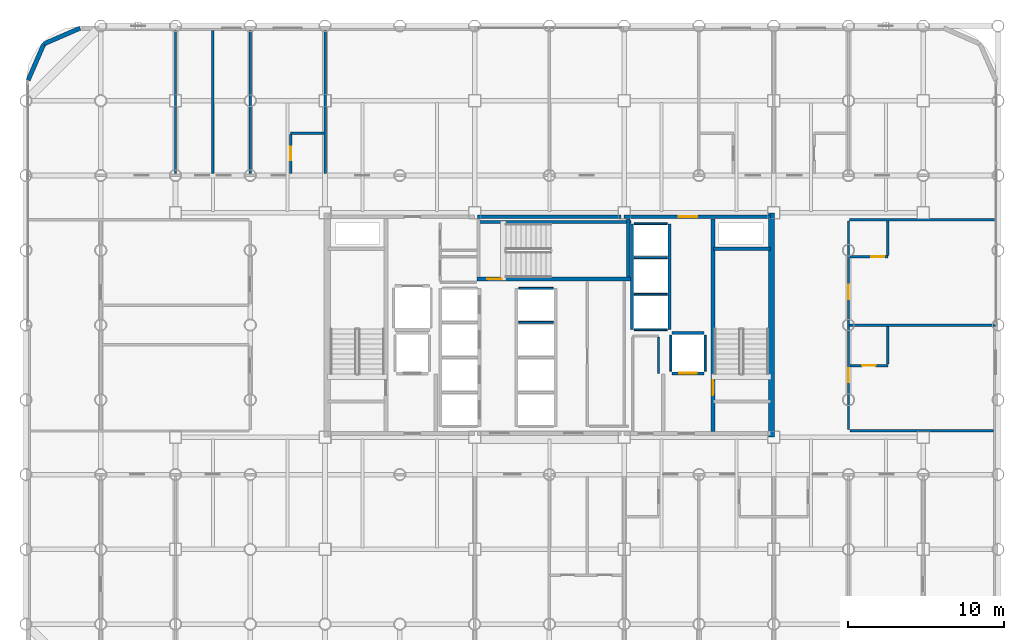
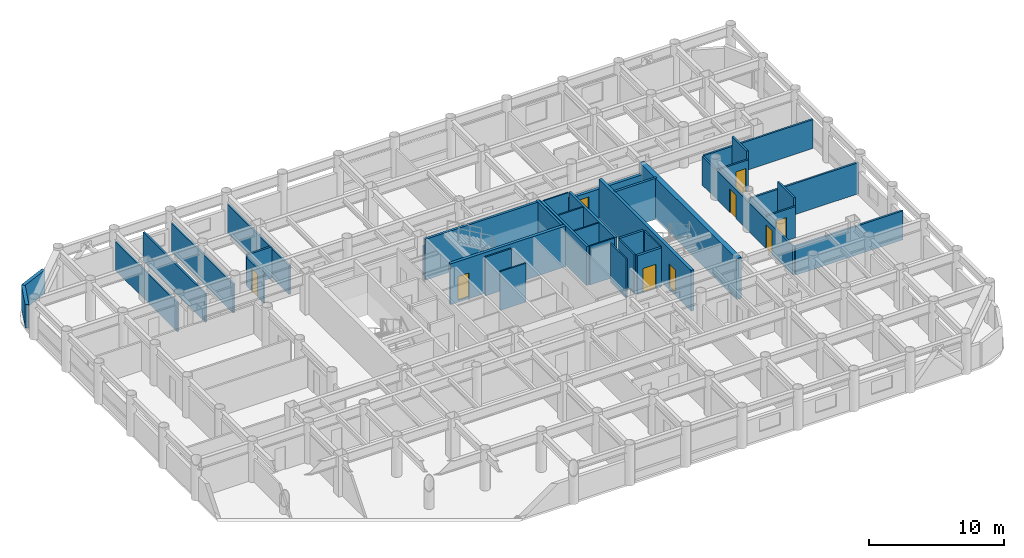
# One storey, part 18 of 21: 37 walls, 9 doors, 9 openings.
"""IFC4 building model written with IfcOpenShell, lengths in metres."""

from ifc_helpers import new_model, si_unit, direction, frame, frame_2d, origin, place, context, subcontext, project, spatial, rectangle, extrude, material, layer, layer_set, type_object, element, fill, save


model = new_model("IFC4")

# Units and contexts
model_context = context("Model", 3, precision=1e-05, world=origin(), true_north=direction((0.0, 1.0)))
body_context = subcontext(model_context, "Body", "Model", "MODEL_VIEW")
ifc_project = project(units=[si_unit("LENGTHUNIT", "METRE"), si_unit("AREAUNIT", "SQUARE_METRE"), si_unit("VOLUMEUNIT", "CUBIC_METRE"), si_unit("PLANEANGLEUNIT", "RADIAN"), si_unit("MASSUNIT", "GRAM", prefix="KILO")], contexts=[model_context])

# Site, building, storey
site_placement = place(None, origin())
site = spatial("IfcSite", under=ifc_project, at=site_placement, CompositionType="ELEMENT")
building_placement = place(site_placement, origin())
building = spatial("IfcBuilding", under=site, at=building_placement, Name="Kallvorn Hotel Tower", CompositionType="ELEMENT")
storey_placement = place(building_placement, frame((0.0, 0.0, 44.800048828125)))
storey = spatial("IfcBuildingStorey", under=building, at=storey_placement, Name="L09", CompositionType="ELEMENT", Elevation=44.800048828125)

# Walls
ifc_material_1 = material(Name="Concrete C50/60", Category="concrete")
ifc_layer_1 = layer(ifc_material_1, 0.39990234375)
ifc_layer_set_1 = layer_set([ifc_layer_1], Name="WL_CORE_400")
wall_type_1 = type_object("IfcWallType", Name="WL_CORE_400", PredefinedType="SHEAR", material=ifc_layer_set_1)
wall_1_placement = place(storey_placement, frame((14.264892578125, -7.199951171875, -0.179931640625), z_axis=(0.0, 0.0, 1.0), x_axis=(0.0, 1.0, 0.0)))
element("IfcWall", 1, at=wall_1_placement, inside=storey, type_object=wall_type_1, Name="L09 Core East Shear Wall", PredefinedType="SHEAR", context=body_context, shape_type="SweptSolid", body=[
    extrude(rectangle(XDim=14.39990234375, YDim=0.39990234375, at=frame_2d((7.199951171875, 0.0))), origin(), (0.0, 0.0, 1.0), 3.699951171875),
])
ifc_material_2 = material(Name="Fire-rated double-layer acoustic gypsum drywall EI 60")
ifc_layer_2 = layer(ifc_material_2, 0.159912109375)
ifc_layer_set_2 = layer_set([ifc_layer_2], Name="WL_DEMISE_160")
wall_type_2 = type_object("IfcWallType", Name="WL_DEMISE_160", PredefinedType="PARTITIONING", material=ifc_layer_set_2)
wall_2_placement = place(storey_placement, frame((19.280029296875, -6.800048828125, 0.0), z_axis=(0.0, 0.0, 1.0), x_axis=(1.0, 0.0, 0.0)))
element("IfcWall", 2, at=wall_2_placement, inside=storey, type_object=wall_type_2, Name="L09 Suite 901 E Loggia King Room Partition", PredefinedType="PARTITIONING", context=body_context, shape_type="SweptSolid", body=[
    extrude(rectangle(XDim=9.22998046875, YDim=0.159912109375, at=frame_2d((4.614990234375, 0.0))), origin(), (0.0, 0.0, 1.0), 2.619873046875),
])

# Wall, opening, door
wall_3_placement = place(storey_placement, frame((19.280029296875, -2.60009765625, 0.0), z_axis=(0.0, 0.0, 1.0), x_axis=(1.0, 0.0, 0.0)))
wall_3 = element("IfcWall", 3, at=wall_3_placement, inside=storey, type_object=wall_type_2, Name="L09 Suite 901 E Loggia King Room Partition", PredefinedType="PARTITIONING", context=body_context, shape_type="SweptSolid", body=[
    extrude(rectangle(XDim=2.449951171875, YDim=0.159912109375, at=frame_2d((1.22509765625, 0.0))), origin(), (0.0, 0.0, 1.0), 2.820068359375),
])
opening_1_placement = place(wall_3_placement, frame((0.794921875, 0.0, 0.0)))
opening_1 = element("IfcOpeningElement", 4, at=opening_1_placement, cuts=wall_3, Name="Opening BD-I", PredefinedType="OPENING", context=body_context, shape_type="SweptSolid", body=[
    extrude(rectangle(XDim=0.860107421875, YDim=2.10009765625, at=frame_2d((0.43017578125, 1.050048828125))), frame((0.0, 0.094970703125, 0.0), z_axis=(0.0, -1.0, 0.0), x_axis=(1.0, 0.0, 0.0)), (0.0, 0.0, 1.0), 0.18994140625),
])
ifc_material_3 = material(Name="Solid-core walnut veneer fire-rated timber door leaf", Category="wood")
door_type_1 = type_object("IfcDoorType", Name="DR_BATH_860x2100", OperationType="NOTDEFINED", PredefinedType="DOOR", material=ifc_material_3)
door_1_placement = place(opening_1_placement, origin())
door_1 = element("IfcDoor", 5, at=door_1_placement, inside=storey, type_object=door_type_1, Name="L09 Suite 901 En-Suite Bathroom Door", OperationType="SINGLE_SWING_RIGHT", OverallHeight=2.10009765625, OverallWidth=0.860107421875, PredefinedType="DOOR", context=body_context, shape_type="SweptSolid", body=[
    extrude(rectangle(XDim=0.860107421875, YDim=2.10009765625, at=frame_2d((0.43017578125, 1.050048828125))), frame((0.0, 0.02490234375, 0.0), z_axis=(0.0, -1.0, 0.0), x_axis=(1.0, 0.0, 0.0)), (0.0, 0.0, 1.0), 0.050048828125),
])
fill(opening_1, door_1)

# Wall
wall_4_placement = place(storey_placement, frame((19.280029296875, 0.0, 0.0), z_axis=(0.0, 0.0, 1.0), x_axis=(1.0, 0.0, 0.0)))
element("IfcWall", 6, at=wall_4_placement, inside=storey, type_object=wall_type_2, Name="L09 Suite 902 E Andean Twin Room Partition", PredefinedType="PARTITIONING", context=body_context, shape_type="SweptSolid", body=[
    extrude(rectangle(XDim=9.349853515625, YDim=0.159912109375, at=frame_2d((4.6748046875, 0.0))), origin(), (0.0, 0.0, 1.0), 2.820068359375),
])

# Wall, opening, door
wall_5_placement = place(storey_placement, frame((19.280029296875, 4.38330078125, 0.0), z_axis=(0.0, 0.0, 1.0), x_axis=(1.0, 0.0, 0.0)))
wall_5 = element("IfcWall", 7, at=wall_5_placement, inside=storey, type_object=wall_type_2, Name="L09 Suite 902 E Andean Twin Room Partition", PredefinedType="PARTITIONING", context=body_context, shape_type="SweptSolid", body=[
    extrude(rectangle(XDim=2.449951171875, YDim=0.159912109375, at=frame_2d((1.22509765625, 0.0))), origin(), (0.0, 0.0, 1.0), 2.820068359375),
])
opening_2_placement = place(wall_5_placement, frame((1.3701171875, 0.0, 0.0)))
opening_2 = element("IfcOpeningElement", 8, at=opening_2_placement, cuts=wall_5, Name="Opening BD-I", PredefinedType="OPENING", context=body_context, shape_type="SweptSolid", body=[
    extrude(rectangle(XDim=0.860107421875, YDim=2.10009765625, at=frame_2d((0.43017578125, 1.050048828125))), frame((0.0, 0.094970703125, 0.0), z_axis=(0.0, -1.0, 0.0), x_axis=(1.0, 0.0, 0.0)), (0.0, 0.0, 1.0), 0.18994140625),
])
door_2_placement = place(opening_2_placement, origin())
door_2 = element("IfcDoor", 9, at=door_2_placement, inside=storey, type_object=door_type_1, Name="L09 Suite 902 En-Suite Bathroom Door", OperationType="SINGLE_SWING_RIGHT", OverallHeight=2.10009765625, OverallWidth=0.860107421875, PredefinedType="DOOR", context=body_context, shape_type="SweptSolid", body=[
    extrude(rectangle(XDim=0.860107421875, YDim=2.10009765625, at=frame_2d((0.43017578125, 1.050048828125))), frame((0.0, 0.02490234375, 0.0), z_axis=(0.0, -1.0, 0.0), x_axis=(1.0, 0.0, 0.0)), (0.0, 0.0, 1.0), 0.050048828125),
])
fill(opening_2, door_2)

# Walls
wall_6_placement = place(storey_placement, frame((19.280029296875, 6.75, 0.0), z_axis=(0.0, 0.0, 1.0), x_axis=(1.0, 0.0, 0.0)))
element("IfcWall", 10, at=wall_6_placement, inside=storey, type_object=wall_type_2, Name="L09 Suite 902 E Andean Twin Room Partition", PredefinedType="PARTITIONING", context=body_context, shape_type="SweptSolid", body=[
    extrude(rectangle(XDim=9.349853515625, YDim=0.159912109375, at=frame_2d((4.6748046875, 0.0))), origin(), (0.0, 0.0, 1.0), 2.619873046875),
])
wall_7_placement = place(storey_placement, frame((-16.610107421875, 12.320068359375, 0.0), z_axis=(0.0, 0.0, 1.0), x_axis=(1.0, 0.0, 0.0)))
element("IfcWall", 11, at=wall_7_placement, inside=storey, type_object=wall_type_2, Name="L09 Suite 907 Standard Twin Room Partition", PredefinedType="PARTITIONING", context=body_context, shape_type="SweptSolid", body=[
    extrude(rectangle(XDim=2.130126953125, YDim=0.159912109375, at=frame_2d((1.06494140625, 0.0))), origin(), (0.0, 0.0, 1.0), 2.820068359375),
])
wall_8_placement = place(storey_placement, frame((-19.199951171875, 9.719970703125, 0.0), z_axis=(0.0, 0.0, 1.0), x_axis=(0.0, 1.0, 0.0)))
element("IfcWall", 12, at=wall_8_placement, inside=storey, type_object=wall_type_2, Name="L09 Suite 907 Standard Twin Room Partition", PredefinedType="PARTITIONING", context=body_context, shape_type="SweptSolid", body=[
    extrude(rectangle(XDim=9.18994140625, YDim=0.159912109375, at=frame_2d((4.594970703125, 0.0))), origin(), (0.0, 0.0, 1.0), 2.619873046875),
])

# Wall, opening, door
wall_9_placement = place(storey_placement, frame((-16.610107421875, 9.719970703125, 0.0), z_axis=(0.0, 0.0, 1.0), x_axis=(0.0, 1.0, 0.0)))
wall_9 = element("IfcWall", 13, at=wall_9_placement, inside=storey, type_object=wall_type_2, Name="L09 Suite 907 Standard Twin Room Partition", PredefinedType="PARTITIONING", context=body_context, shape_type="SweptSolid", body=[
    extrude(rectangle(XDim=2.51513671875, YDim=0.159912109375, at=frame_2d((1.257568359375, 0.0))), origin(), (0.0, 0.0, 1.0), 2.619873046875),
])
opening_3_placement = place(wall_9_placement, frame((0.8701171875, 0.0, 0.0)))
opening_3 = element("IfcOpeningElement", 14, at=opening_3_placement, cuts=wall_9, Name="Opening BD-I", PredefinedType="OPENING", context=body_context, shape_type="SweptSolid", body=[
    extrude(rectangle(XDim=0.860107421875, YDim=2.10009765625, at=frame_2d((0.43017578125, 1.050048828125))), frame((0.0, 0.094970703125, 0.0), z_axis=(0.0, -1.0, 0.0), x_axis=(1.0, 0.0, 0.0)), (0.0, 0.0, 1.0), 0.18994140625),
])
door_3_placement = place(opening_3_placement, origin())
door_3 = element("IfcDoor", 15, at=door_3_placement, inside=storey, type_object=door_type_1, Name="L09 Suite 907 En-Suite Bathroom Door", OperationType="SINGLE_SWING_RIGHT", OverallHeight=2.10009765625, OverallWidth=0.860107421875, PredefinedType="DOOR", context=body_context, shape_type="SweptSolid", body=[
    extrude(rectangle(XDim=0.860107421875, YDim=2.10009765625, at=frame_2d((0.43017578125, 1.050048828125))), frame((0.0, 0.02490234375, 0.0), z_axis=(0.0, -1.0, 0.0), x_axis=(1.0, 0.0, 0.0)), (0.0, 0.0, 1.0), 0.050048828125),
])
fill(opening_3, door_3)

# Wall
wall_10_placement = place(storey_placement, frame((-14.39990234375, 9.719970703125, 0.0), z_axis=(0.0, 0.0, 1.0), x_axis=(0.0, 1.0, 0.0)))
element("IfcWall", 16, at=wall_10_placement, inside=storey, type_object=wall_type_2, Name="L09 Suite 907 Standard Twin Room Partition", PredefinedType="PARTITIONING", context=body_context, shape_type="SweptSolid", body=[
    extrude(rectangle(XDim=9.18994140625, YDim=0.159912109375, at=frame_2d((4.594970703125, 0.0))), origin(), (0.0, 0.0, 1.0), 2.619873046875),
])

# Wall, openings, doors
wall_11_placement = place(storey_placement, frame((19.199951171875, -6.715087890625, 0.0), z_axis=(0.0, 0.0, 1.0), x_axis=(0.0, 1.0, 0.0)))
wall_11 = element("IfcWall", 17, at=wall_11_placement, inside=storey, type_object=wall_type_2, Name="L09 Suite 901 E Loggia King Room Partition", PredefinedType="PARTITIONING", context=body_context, shape_type="SweptSolid", body=[
    extrude(rectangle(XDim=13.380126953125, YDim=0.159912109375, at=frame_2d((6.68994140625, 0.0))), origin(), (0.0, 0.0, 1.0), 2.619873046875),
])
opening_4_placement = place(wall_11_placement, frame((3.034912109375, 0.0, 0.0)))
opening_4 = element("IfcOpeningElement", 18, at=opening_4_placement, cuts=wall_11, Name="Opening GD1", PredefinedType="OPENING", context=body_context, shape_type="SweptSolid", body=[
    extrude(rectangle(XDim=0.919921875, YDim=2.14990234375, at=frame_2d((0.4599609375, 1.074951171875))), frame((0.0, 0.094970703125, 0.0), z_axis=(0.0, -1.0, 0.0), x_axis=(1.0, 0.0, 0.0)), (0.0, 0.0, 1.0), 0.18994140625),
])
opening_5_placement = place(wall_11_placement, frame((8.385009765625, 0.0, 0.0)))
opening_5 = element("IfcOpeningElement", 19, at=opening_5_placement, cuts=wall_11, Name="Opening GD1", PredefinedType="OPENING", context=body_context, shape_type="SweptSolid", body=[
    extrude(rectangle(XDim=0.919921875, YDim=2.14990234375, at=frame_2d((0.4599609375, 1.074951171875))), frame((0.0, 0.094970703125, 0.0), z_axis=(0.0, -1.0, 0.0), x_axis=(1.0, 0.0, 0.0)), (0.0, 0.0, 1.0), 0.18994140625),
])
ifc_material_4 = material(Name="Solid-core walnut veneer fire-rated timber door leaf", Category="wood")
door_type_2 = type_object("IfcDoorType", Name="DR_GUEST_920x2150", OperationType="NOTDEFINED", PredefinedType="DOOR", material=ifc_material_4)
door_4_placement = place(opening_4_placement, origin())
door_4 = element("IfcDoor", 20, at=door_4_placement, inside=storey, type_object=door_type_2, Name="L09 Suite 901 E Loggia King Room Door", OperationType="SINGLE_SWING_LEFT", OverallHeight=2.14990234375, OverallWidth=0.919921875, PredefinedType="DOOR", context=body_context, shape_type="SweptSolid", body=[
    extrude(rectangle(XDim=0.919921875, YDim=2.14990234375, at=frame_2d((0.4599609375, 1.074951171875))), frame((0.0, 0.02490234375, 0.0), z_axis=(0.0, -1.0, 0.0), x_axis=(1.0, 0.0, 0.0)), (0.0, 0.0, 1.0), 0.050048828125),
])
fill(opening_4, door_4)
door_5_placement = place(opening_5_placement, origin())
door_5 = element("IfcDoor", 21, at=door_5_placement, inside=storey, type_object=door_type_2, Name="L09 Suite 902 E Andean Twin Room Door", OperationType="SINGLE_SWING_RIGHT", OverallHeight=2.14990234375, OverallWidth=0.919921875, PredefinedType="DOOR", context=body_context, shape_type="SweptSolid", body=[
    extrude(rectangle(XDim=0.919921875, YDim=2.14990234375, at=frame_2d((0.4599609375, 1.074951171875))), frame((0.0, 0.02490234375, 0.0), z_axis=(0.0, -1.0, 0.0), x_axis=(1.0, 0.0, 0.0)), (0.0, 0.0, 1.0), 0.050048828125),
])
fill(opening_5, door_5)

# Walls
wall_12_placement = place(storey_placement, frame((21.72998046875, -2.514892578125, 0.0), z_axis=(0.0, 0.0, 1.0), x_axis=(0.0, 1.0, 0.0)))
element("IfcWall", 22, at=wall_12_placement, inside=storey, type_object=wall_type_2, Name="L09 Suite 901 E Loggia King Room Partition", PredefinedType="PARTITIONING", context=body_context, shape_type="SweptSolid", body=[
    extrude(rectangle(XDim=2.414794921875, YDim=0.159912109375, at=frame_2d((1.20751953125, 0.0))), origin(), (0.0, 0.0, 1.0), 3.52001953125),
])
wall_13_placement = place(storey_placement, frame((21.72998046875, 4.46826171875, 0.0), z_axis=(0.0, 0.0, 1.0), x_axis=(0.0, 1.0, 0.0)))
element("IfcWall", 23, at=wall_13_placement, inside=storey, type_object=wall_type_2, Name="L09 Suite 902 E Andean Twin Room Partition", PredefinedType="PARTITIONING", context=body_context, shape_type="SweptSolid", body=[
    extrude(rectangle(XDim=2.19677734375, YDim=0.159912109375, at=frame_2d((1.098388671875, 0.0))), origin(), (0.0, 0.0, 1.0), 3.52001953125),
])
ifc_material_5 = material(Name="Precast basalt-clad insulated concrete wall C40/50", Category="masonry")
ifc_layer_3 = layer(ifc_material_5, 0.280029296875)
ifc_layer_set_3 = layer_set([ifc_layer_3], Name="WL_EXT_LOGGIA_280")
wall_type_3 = type_object("IfcWallType", Name="WL_EXT_LOGGIA_280", PredefinedType="SOLIDWALL", material=ifc_layer_set_3)
wall_14_placement = place(storey_placement, frame((-30.120849609375, 19.057861328125, 0.0), z_axis=(0.0, 0.0, 1.0), x_axis=(-0.917060872934, -0.398747232384, 0.0)))
element("IfcWall", 24, at=wall_14_placement, inside=storey, type_object=wall_type_3, Name="L09 Rounded Corner Exterior Wall NW1", PredefinedType="SOLIDWALL", context=body_context, shape_type="SweptSolid", body=[
    extrude(rectangle(XDim=2.5361328125, YDim=0.280029296875, at=frame_2d((1.26806640625, 0.0))), origin(), (0.0, 0.0, 1.0), 2.119873046875),
])
wall_15_placement = place(storey_placement, frame((-32.446533203125, 18.046630859375, 0.0), z_axis=(0.0, 0.0, 1.0), x_axis=(-0.398792985289, -0.917040977756, 0.0)))
element("IfcWall", 25, at=wall_15_placement, inside=storey, type_object=wall_type_3, Name="L09 Rounded Corner Exterior Wall NW2", PredefinedType="SOLIDWALL", context=body_context, shape_type="SweptSolid", body=[
    extrude(rectangle(XDim=2.536376953125, YDim=0.280029296875, at=frame_2d((1.26806640625, 0.0))), origin(), (0.0, 0.0, 1.0), 2.119873046875),
])
ifc_material_6 = material(Name="Concrete C40/50", Category="concrete")
ifc_layer_4 = layer(ifc_material_6, 0.199951171875)
ifc_layer_set_4 = layer_set([ifc_layer_4], Name="WL_HOIST_200")
wall_type_4 = type_object("IfcWallType", Name="WL_HOIST_200", PredefinedType="SOLIDWALL", material=ifc_layer_set_4)
wall_16_placement = place(storey_placement, frame((10.550048828125, 4.89990234375, -0.179931640625), z_axis=(0.0, 0.0, 1.0), x_axis=(1.0, 0.0, 0.0)))
element("IfcWall", 26, at=wall_16_placement, inside=storey, type_object=wall_type_4, Name="L09 Stair ST2 North Wall", PredefinedType="SOLIDWALL", context=body_context, shape_type="SweptSolid", body=[
    extrude(rectangle(XDim=3.64990234375, YDim=0.199951171875, at=frame_2d((1.824951171875, 0.0))), origin(), (0.0, 0.0, 1.0), 3.699951171875),
])
wall_17_placement = place(storey_placement, frame((-4.64990234375, 6.610107421875, -0.179931640625), z_axis=(0.0, 0.0, 1.0), x_axis=(1.0, 0.0, 0.0)))
element("IfcWall", 27, at=wall_17_placement, inside=storey, type_object=wall_type_4, Name="L09 Stair ST3 Shaft North Wall", PredefinedType="SOLIDWALL", context=body_context, shape_type="SweptSolid", body=[
    extrude(rectangle(XDim=9.89990234375, YDim=0.199951171875, at=frame_2d((4.949951171875, 0.0))), origin(), (0.0, 0.0, 1.0), 3.699951171875),
])
wall_18_placement = place(storey_placement, frame((5.06005859375, 3.080078125, -0.179931640625), z_axis=(0.0, 0.0, 1.0), x_axis=(0.0, 1.0, 0.0)))
element("IfcWall", 28, at=wall_18_placement, inside=storey, type_object=wall_type_4, Name="L09 Stair ST3 East Wall", PredefinedType="SOLIDWALL", context=body_context, shape_type="SweptSolid", body=[
    extrude(rectangle(XDim=3.739990234375, YDim=0.199951171875, at=frame_2d((1.8701171875, 0.0))), origin(), (0.0, 0.0, 1.0), 3.699951171875),
])
for number, where, z_axis, x_axis, name in (
    (29, (7.699951171875, -0.300048828125, 0.0), (0.0, 0.0, 1.0), (0.0, 1.0, 0.0), "L09 Lift Bank OBS Landing Wall"),
    (30, (5.300048828125, -0.300048828125, 0.0), (0.0, 0.0, 1.0), (0.0, 1.0, 0.0), "L09 Lift Bank OBS Rear Shaft Wall"),
):
    element("IfcWall", number, at=place(storey_placement, frame(where, z_axis=z_axis, x_axis=x_axis)), inside=storey, type_object=wall_type_4, Name=name, PredefinedType="SOLIDWALL", context=body_context, shape_type="SweptSolid", body=[
        extrude(rectangle(XDim=6.800048828125, YDim=0.199951171875, at=frame_2d((3.39990234375, 0.0))), origin(), (0.0, 0.0, 1.0), 3.52001953125),
    ])

# Wall, opening, door
wall_19_placement = place(storey_placement, frame((7.8798828125, -3.10009765625, 0.0), z_axis=(0.0, 0.0, 1.0), x_axis=(1.0, 0.0, 0.0)))
wall_19 = element("IfcWall", 31, at=wall_19_placement, inside=storey, type_object=wall_type_4, Name="L09 FL-2 Landing Wall", PredefinedType="SOLIDWALL", context=body_context, shape_type="SweptSolid", body=[
    extrude(rectangle(XDim=2.0400390625, YDim=0.199951171875, at=frame_2d((1.02001953125, 0.0))), origin(), (0.0, 0.0, 1.0), 3.52001953125),
])
opening_6_placement = place(wall_19_placement, frame((0.469970703125, 0.0, 0.0)))
opening_6 = element("IfcOpeningElement", 32, at=opening_6_placement, cuts=wall_19, Name="Opening LD-FL-2", PredefinedType="OPENING", context=body_context, shape_type="SweptSolid", body=[
    extrude(rectangle(XDim=1.10009765625, YDim=2.199951171875, at=frame_2d((0.550048828125, 1.10009765625))), frame((0.0, 0.114990234375, 0.0), z_axis=(0.0, -1.0, 0.0), x_axis=(1.0, 0.0, 0.0)), (0.0, 0.0, 1.0), 0.22998046875),
])
ifc_material_7 = material(Name="Brushed stainless-steel automatic sliding lift landing door", Category="steel")
door_type_3 = type_object("IfcDoorType", Name="LD_PASS_1100x2200", OperationType="SLIDING_TO_LEFT", PredefinedType="DOOR", material=ifc_material_7)
door_6_placement = place(opening_6_placement, origin())
door_6 = element("IfcDoor", 33, at=door_6_placement, inside=storey, type_object=door_type_3, Name="L09 Lift Landing Sliding Door LD-FL-2", OperationType="SLIDING_TO_LEFT", OverallHeight=2.199951171875, OverallWidth=1.10009765625, PredefinedType="DOOR", context=body_context, shape_type="SweptSolid", body=[
    extrude(rectangle(XDim=1.10009765625, YDim=2.199951171875, at=frame_2d((0.550048828125, 1.10009765625))), frame((0.0, 0.02490234375, 0.0), z_axis=(0.0, -1.0, 0.0), x_axis=(1.0, 0.0, 0.0)), (0.0, 0.0, 1.0), 0.050048828125),
])
fill(opening_6, door_6)

# Walls
wall_20_placement = place(storey_placement, frame((7.8798828125, -0.5, 0.0), z_axis=(0.0, 0.0, 1.0), x_axis=(1.0, 0.0, 0.0)))
element("IfcWall", 34, at=wall_20_placement, inside=storey, type_object=wall_type_4, Name="L09 FL-2 Rear Shaft Wall", PredefinedType="SOLIDWALL", context=body_context, shape_type="SweptSolid", body=[
    extrude(rectangle(XDim=2.0400390625, YDim=0.199951171875, at=frame_2d((1.02001953125, 0.0))), origin(), (0.0, 0.0, 1.0), 3.52001953125),
])
ifc_material_8 = material(Name="Fire-rated double-layer acoustic gypsum drywall EI 60")
ifc_layer_5 = layer(ifc_material_8, 0.1201171875)
ifc_layer_set_5 = layer_set([ifc_layer_5], Name="WL_INT_120")
wall_type_5 = type_object("IfcWallType", Name="WL_INT_120", PredefinedType="PARTITIONING", material=ifc_layer_set_5)
for number, where, z_axis, x_axis, name in (
    (35, (-1.9599609375, 0.175048828125, 0.0), (0.0, 0.0, 1.0), (1.0, 0.0, 0.0), "L09 PL-07 Hoistway Divider"),
    (36, (-1.9599609375, 2.35009765625, 0.0), (0.0, 0.0, 1.0), (1.0, 0.0, 0.0), "L09 PL-08 Hoistway Divider"),
):
    element("IfcWall", number, at=place(storey_placement, frame(where, z_axis=z_axis, x_axis=x_axis)), inside=storey, type_object=wall_type_5, Name=name, PredefinedType="PARTITIONING", context=body_context, shape_type="SweptSolid", body=[
        extrude(rectangle(XDim=2.219970703125, YDim=0.1201171875, at=frame_2d((1.10986328125, 0.0))), origin(), (0.0, 0.0, 1.0), 3.52001953125),
    ])
for number, where, z_axis, x_axis, name in (
    (37, (5.43994140625, -0.300048828125, 0.0), (0.0, 0.0, 1.0), (1.0, 0.0, 0.0), "L09 Lift Bank OBS South Closure Wall"),
    (38, (5.43994140625, 1.97509765625, 0.0), (0.0, 0.0, 1.0), (1.0, 0.0, 0.0), "L09 OB-01 Hoistway Divider"),
    (39, (5.43994140625, 4.324951171875, 0.0), (0.0, 0.0, 1.0), (1.0, 0.0, 0.0), "L09 OB-02 Hoistway Divider"),
    (40, (5.43994140625, 6.5, 0.0), (0.0, 0.0, 1.0), (1.0, 0.0, 0.0), "L09 OB-03 Hoistway Divider"),
):
    element("IfcWall", number, at=place(storey_placement, frame(where, z_axis=z_axis, x_axis=x_axis)), inside=storey, type_object=wall_type_5, Name=name, PredefinedType="PARTITIONING", context=body_context, shape_type="SweptSolid", body=[
        extrude(rectangle(XDim=2.1201171875, YDim=0.1201171875, at=frame_2d((1.06005859375, 0.0))), origin(), (0.0, 0.0, 1.0), 3.52001953125),
    ])
for number, where, z_axis, x_axis, name in (
    (41, (7.800048828125, -2.9599609375, 0.0), (0.0, 0.0, 1.0), (0.0, 1.0, 0.0), "L09 FL-2 West Shaft Wall"),
    (42, (10.0, -2.9599609375, 0.0), (0.0, 0.0, 1.0), (0.0, 1.0, 0.0), "L09 FL-2 East Shaft Wall"),
):
    element("IfcWall", number, at=place(storey_placement, frame(where, z_axis=z_axis, x_axis=x_axis)), inside=storey, type_object=wall_type_5, Name=name, PredefinedType="PARTITIONING", context=body_context, shape_type="SweptSolid", body=[
        extrude(rectangle(XDim=2.320068359375, YDim=0.1201171875, at=frame_2d((1.16015625, 0.0))), origin(), (0.0, 0.0, 1.0), 3.52001953125),
    ])
wall_21_placement = place(storey_placement, frame((7.006591796875, -3.110107421875, 0.0), z_axis=(0.0, 0.0, 1.0), x_axis=(0.0, 1.0, 0.0)))
element("IfcWall", 43, at=wall_21_placement, inside=storey, type_object=wall_type_5, Name="L09 Core Utility and Meter Room Partition", PredefinedType="PARTITIONING", context=body_context, shape_type="SweptSolid", body=[
    extrude(rectangle(XDim=2.3251953125, YDim=0.1201171875, at=frame_2d((1.16259765625, 0.0))), origin(), (0.0, 0.0, 1.0), 3.52001953125),
])
ifc_material_9 = material(Name="Fire-rated double-layer acoustic gypsum drywall EI 60")
ifc_layer_6 = layer(ifc_material_9, 0.14990234375)
ifc_layer_set_6 = layer_set([ifc_layer_6], Name="WL_PART_150")
wall_type_6 = type_object("IfcWallType", Name="WL_PART_150", PredefinedType="PARTITIONING", material=ifc_layer_set_6)
for number, where, z_axis, x_axis, name in (
    (44, (-24.0, 9.719970703125, 0.0), (0.0, 0.0, 1.0), (0.0, 1.0, 0.0), "L09 Housekeeping and Linen Room Partition"),
    (45, (-21.60009765625, 9.719970703125, 0.0), (0.0, 0.0, 1.0), (0.0, 1.0, 0.0), "L09 Guest Tea and Refreshment Bar Partition"),
):
    element("IfcWall", number, at=place(storey_placement, frame(where, z_axis=z_axis, x_axis=x_axis)), inside=storey, type_object=wall_type_6, Name=name, PredefinedType="PARTITIONING", context=body_context, shape_type="SweptSolid", body=[
        extrude(rectangle(XDim=9.18994140625, YDim=0.14990234375, at=frame_2d((4.594970703125, 0.0))), origin(), (0.0, 0.0, 1.0), 2.619873046875),
    ])
ifc_material_10 = material(Name="Concrete C40/50", Category="concrete")
ifc_layer_7 = layer(ifc_material_10, 0.25)
ifc_layer_set_7 = layer_set([ifc_layer_7], Name="WL_SHAFT_250")
wall_type_7 = type_object("IfcWallType", Name="WL_SHAFT_250", PredefinedType="SOLIDWALL", material=ifc_layer_set_7)
wall_22_placement = place(storey_placement, frame((-4.60009765625, 6.949951171875, 0.0), z_axis=(0.0, 0.0, 1.0), x_axis=(1.0, 0.0, 0.0)))
element("IfcWall", 46, at=wall_22_placement, inside=storey, type_object=wall_type_7, Name="L09 Core North-Central Wall", PredefinedType="SOLIDWALL", context=body_context, shape_type="SweptSolid", body=[
    extrude(rectangle(XDim=9.2001953125, YDim=0.25, at=frame_2d((4.60009765625, 0.0))), origin(), (0.0, 0.0, 1.0), 2.619873046875),
])

# Wall, opening, door
wall_23_placement = place(storey_placement, frame((4.800048828125, 6.949951171875, 0.0), z_axis=(0.0, 0.0, 1.0), x_axis=(1.0, 0.0, 0.0)))
wall_23 = element("IfcWall", 47, at=wall_23_placement, inside=storey, type_object=wall_type_7, Name="L09 Core North-East Wall", PredefinedType="SOLIDWALL", context=body_context, shape_type="SweptSolid", body=[
    extrude(rectangle(XDim=9.39990234375, YDim=0.25, at=frame_2d((4.699951171875, 0.0))), origin(), (0.0, 0.0, 1.0), 2.619873046875),
])
opening_7_placement = place(wall_23_placement, frame((3.5, 0.0, 0.0)))
opening_7 = element("IfcOpeningElement", 48, at=opening_7_placement, cuts=wall_23, Name="Opening FD2", PredefinedType="OPENING", context=body_context, shape_type="SweptSolid", body=[
    extrude(rectangle(XDim=1.199951171875, YDim=2.199951171875, at=frame_2d((0.60009765625, 1.10009765625))), frame((0.0, 0.139892578125, 0.0), z_axis=(0.0, -1.0, 0.0), x_axis=(1.0, 0.0, 0.0)), (0.0, 0.0, 1.0), 0.280029296875),
])
ifc_material_11 = material(Name="Galvanised painted steel fire-rated door assembly", Category="steel")
door_type_4 = type_object("IfcDoorType", Name="DR_LOBBY_1200x2200", OperationType="DOUBLE_DOOR_SINGLE_SWING", PredefinedType="DOOR", material=ifc_material_11)
door_7_placement = place(opening_7_placement, origin())
door_7 = element("IfcDoor", 49, at=door_7_placement, inside=storey, type_object=door_type_4, Name="L09 Observatory Shuttle Lobby Door", OperationType="DOUBLE_DOOR_SINGLE_SWING", OverallHeight=2.199951171875, OverallWidth=1.199951171875, PredefinedType="DOOR", context=body_context, shape_type="SweptSolid", body=[
    extrude(rectangle(XDim=1.199951171875, YDim=2.199951171875, at=frame_2d((0.60009765625, 1.10009765625))), frame((0.0, 0.02490234375, 0.0), z_axis=(0.0, -1.0, 0.0), x_axis=(1.0, 0.0, 0.0)), (0.0, 0.0, 1.0), 0.050048828125),
])
fill(opening_7, door_7)

wall_24_placement = place(storey_placement, frame((10.5, -6.820068359375, -0.179931640625), z_axis=(0.0, 0.0, 1.0), x_axis=(0.0, 1.0, 0.0)))
wall_24 = element("IfcWall", 50, at=wall_24_placement, inside=storey, type_object=wall_type_7, Name="L09 Stair ST2 Shaft Wall", PredefinedType="SOLIDWALL", context=body_context, shape_type="SweptSolid", body=[
    extrude(rectangle(XDim=13.64013671875, YDim=0.25, at=frame_2d((6.820068359375, 0.0))), origin(), (0.0, 0.0, 1.0), 3.699951171875),
])
opening_8_placement = place(wall_24_placement, frame((2.320068359375, 0.0, 0.179931640625)))
opening_8 = element("IfcOpeningElement", 51, at=opening_8_placement, cuts=wall_24, Name="Opening SD1", PredefinedType="OPENING", context=body_context, shape_type="SweptSolid", body=[
    extrude(rectangle(XDim=0.949951171875, YDim=2.14990234375, at=frame_2d((0.47509765625, 1.074951171875))), frame((0.0, 0.139892578125, 0.0), z_axis=(0.0, -1.0, 0.0), x_axis=(1.0, 0.0, 0.0)), (0.0, 0.0, 1.0), 0.280029296875),
])
ifc_material_12 = material(Name="Galvanised painted steel fire-rated door assembly", Category="steel")
door_type_5 = type_object("IfcDoorType", Name="DR_STAIR_950x2150", OperationType="NOTDEFINED", PredefinedType="DOOR", material=ifc_material_12)
door_8_placement = place(opening_8_placement, origin())
door_8 = element("IfcDoor", 52, at=door_8_placement, inside=storey, type_object=door_type_5, Name="L09 Exit Stair ST2 Fire Door", OperationType="SINGLE_SWING_RIGHT", OverallHeight=2.14990234375, OverallWidth=0.949951171875, PredefinedType="DOOR", context=body_context, shape_type="SweptSolid", body=[
    extrude(rectangle(XDim=0.949951171875, YDim=2.14990234375, at=frame_2d((0.47509765625, 1.074951171875))), frame((0.0, 0.02490234375, 0.0), z_axis=(0.0, -1.0, 0.0), x_axis=(1.0, 0.0, 0.0)), (0.0, 0.0, 1.0), 0.050048828125),
])
fill(opening_8, door_8)

wall_25_placement = place(storey_placement, frame((-4.64990234375, 2.949951171875, -0.179931640625), z_axis=(0.0, 0.0, 1.0), x_axis=(1.0, 0.0, 0.0)))
wall_25 = element("IfcWall", 53, at=wall_25_placement, inside=storey, type_object=wall_type_7, Name="L09 Stair ST3 Shaft South Wall", PredefinedType="SOLIDWALL", context=body_context, shape_type="SweptSolid", body=[
    extrude(rectangle(XDim=9.89990234375, YDim=0.25, at=frame_2d((4.949951171875, 0.0))), origin(), (0.0, 0.0, 1.0), 3.699951171875),
])
opening_9_placement = place(wall_25_placement, frame((0.64990234375, 0.0, 0.179931640625)))
opening_9 = element("IfcOpeningElement", 54, at=opening_9_placement, cuts=wall_25, Name="Opening SD1", PredefinedType="OPENING", context=body_context, shape_type="SweptSolid", body=[
    extrude(rectangle(XDim=0.949951171875, YDim=2.14990234375, at=frame_2d((0.47509765625, 1.074951171875))), frame((0.0, 0.139892578125, 0.0), z_axis=(0.0, -1.0, 0.0), x_axis=(1.0, 0.0, 0.0)), (0.0, 0.0, 1.0), 0.280029296875),
])
door_9_placement = place(opening_9_placement, origin())
door_9 = element("IfcDoor", 55, at=door_9_placement, inside=storey, type_object=door_type_5, Name="L09 Exit Stair ST3 Fire Door", OperationType="SINGLE_SWING_LEFT", OverallHeight=2.14990234375, OverallWidth=0.949951171875, PredefinedType="DOOR", context=body_context, shape_type="SweptSolid", body=[
    extrude(rectangle(XDim=0.949951171875, YDim=2.14990234375, at=frame_2d((0.47509765625, 1.074951171875))), frame((0.0, 0.02490234375, 0.0), z_axis=(0.0, -1.0, 0.0), x_axis=(1.0, 0.0, 0.0)), (0.0, 0.0, 1.0), 0.050048828125),
])
fill(opening_9, door_9)

save(model, "model.ifc")
